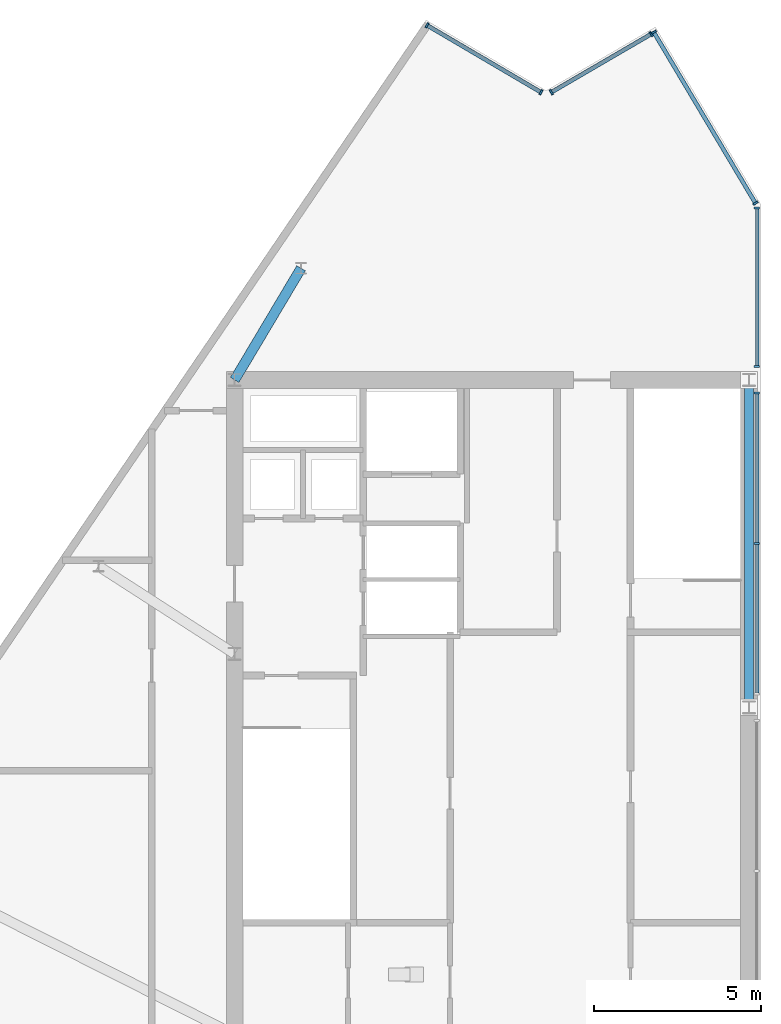
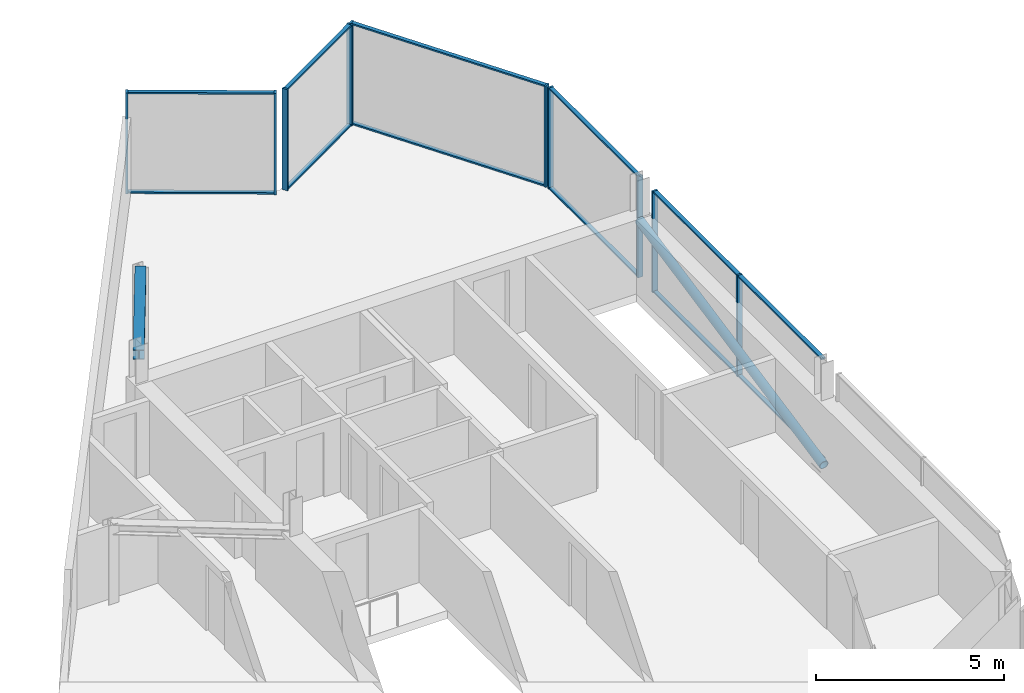
# One storey, part 3 of 7: 23 members, 1 beam, 5 elements without a shape of their own.
"""IFC4 building model written with IfcOpenShell, lengths in metres."""

from ifc_helpers import new_model, si_unit, direction, frame, origin, origin_2d, place, context, subcontext, project, spatial, rectangle, hollow_circle, i_section, extrude, material, material_profile, profile_set, type_object, element, aggregate, save


model = new_model("IFC4")

# Units and contexts
model_context = context("Model", 3, precision=1e-05, world=origin(), true_north=direction((0.0, 1.0)))
body_context = subcontext(model_context, "Body", "Model", "MODEL_VIEW")
ifc_project = project(units=[si_unit("LENGTHUNIT", "METRE"), si_unit("AREAUNIT", "SQUARE_METRE"), si_unit("VOLUMEUNIT", "CUBIC_METRE"), si_unit("PLANEANGLEUNIT", "RADIAN"), si_unit("MASSUNIT", "GRAM", prefix="KILO")], contexts=[model_context])

# Site, building, storey
site_placement = place(None, origin())
site = spatial("IfcSite", under=ifc_project, at=site_placement, CompositionType="ELEMENT")
building_placement = place(site_placement, origin())
building = spatial("IfcBuilding", under=site, at=building_placement, Name="Savorim Split Tower", CompositionType="ELEMENT")
storey_placement = place(building_placement, frame((0.0, 0.0, 319.199951171875)))
storey = spatial("IfcBuildingStorey", under=building, at=storey_placement, Name="Crown L85 Plant", CompositionType="ELEMENT", Elevation=319.199951171875)

# Beam
ifc_material_1 = material(Name="Steel S355", Category="steel")
ifc_material_profile_1 = material_profile(ifc_material_1, i_section(OverallWidth=0.300048828125, OverallDepth=0.320068359375, WebThickness=0.011474609375, FlangeThickness=0.0205078125, FilletRadius=0.027099609375, at=origin_2d()), Name="HEB 320")
ifc_profile_set_1 = profile_set([ifc_material_profile_1], Name="Steel S355")
beam_type = type_object("IfcBeamType", Name="BM-PRI-HEB320", PredefinedType="BEAM", material=ifc_profile_set_1)
beam_placement = place(storey_placement, frame((-5.710205078125, 13.542236328125, 3.179931640625), z_axis=(-0.511539031423, -0.85926004174, 0.0), x_axis=(0.85926004174, -0.511539031423, 0.0)))
element("IfcBeam", 1, at=beam_placement, inside=storey, type_object=beam_type, Name="Crown L85 Plant West Crown Beam WBG-5", PredefinedType="BEAM", context=body_context, shape_type="SweptSolid", body=[
    extrude(i_section(OverallWidth=0.300048828125, OverallDepth=0.320068359375, WebThickness=0.011474609375, FlangeThickness=0.0205078125, FilletRadius=0.027099609375, at=origin_2d()), origin(), (0.0, 0.0, 1.0), 3.8896484375),
])

# Curtain wall, members
ifc_material_2 = material(Name="Dark Ceramic-Fritted Insulated Glass", Category="glass")
curtain_wall_type = type_object("IfcCurtainWallType", Name="CW-CROWN-CREST", PredefinedType="NOTDEFINED", material=ifc_material_2)
curtain_wall_1_placement = place(storey_placement, origin())
curtain_wall_1 = element("IfcCurtainWall", 2, at=curtain_wall_1_placement, inside=storey, type_object=curtain_wall_type, Name="Crown L85 Plant Curtain Wall CW-Crown-L85-Plant-W1AS3", PredefinedType="NOTDEFINED")
ifc_material_3 = material(Name="Charcoal Anodised Aluminium", Category="aluminium")
ifc_material_profile_2 = material_profile(ifc_material_3, rectangle(XDim=0.159912109375, YDim=0.06005859375, at=origin_2d()), Name="ALU-M 160x60")
ifc_profile_set_2 = profile_set([ifc_material_profile_2], Name="Charcoal Anodised Aluminium")
member_type_1 = type_object("IfcMemberType", Name="CWM-160x60", PredefinedType="MULLION", material=ifc_profile_set_2)
member_1_placement = place(storey_placement, frame((7.929931640625, 5.300048828125, 0.0), z_axis=(0.0, 0.0, 1.0), x_axis=(-1.0, 0.0, 0.0)))
member_1 = element("IfcMember", 3, at=member_1_placement, type_object=member_type_1, Name="CW-07 mullion 2", PredefinedType="MULLION", context=body_context, shape_type="SweptSolid", body=[
    extrude(rectangle(XDim=0.159912109375, YDim=0.06005859375, at=origin_2d()), origin(), (0.0, 0.0, 1.0), 3.2900390625),
])
member_2_placement = place(storey_placement, frame((7.929931640625, 9.803955078125, 0.0), z_axis=(0.0, 0.0, 1.0), x_axis=(-1.0, 0.0, 0.0)))
member_2 = element("IfcMember", 4, at=member_2_placement, type_object=member_type_1, Name="CW-07 mullion 3", PredefinedType="MULLION", context=body_context, shape_type="SweptSolid", body=[
    extrude(rectangle(XDim=0.159912109375, YDim=0.06005859375, at=origin_2d()), origin(), (0.0, 0.0, 1.0), 3.2900390625),
])

curtain_wall_2_placement = place(storey_placement, origin())
curtain_wall_2 = element("IfcCurtainWall", 5, at=curtain_wall_2_placement, inside=storey, type_object=curtain_wall_type, Name="Crown L85 Plant Curtain Wall CW-Crown-L85-Plant-W1AS4", PredefinedType="NOTDEFINED")
member_3_placement = place(storey_placement, frame((7.929931640625, 10.595947265625, 0.0), z_axis=(0.0, 0.0, 1.0), x_axis=(-1.0, 0.0, 0.0)))
member_3 = element("IfcMember", 6, at=member_3_placement, type_object=member_type_1, Name="CW-07 mullion 1", PredefinedType="MULLION", context=body_context, shape_type="SweptSolid", body=[
    extrude(rectangle(XDim=0.159912109375, YDim=0.06005859375, at=origin_2d()), origin(), (0.0, 0.0, 1.0), 3.2900390625),
])
member_4_placement = place(storey_placement, frame((7.929931640625, 15.34716796875, 0.0), z_axis=(0.0, 0.0, 1.0), x_axis=(-1.0, 0.0, 0.0)))
member_4 = element("IfcMember", 7, at=member_4_placement, type_object=member_type_1, Name="CW-07 mullion 2", PredefinedType="MULLION", context=body_context, shape_type="SweptSolid", body=[
    extrude(rectangle(XDim=0.159912109375, YDim=0.06005859375, at=origin_2d()), origin(), (0.0, 0.0, 1.0), 3.2900390625),
])

curtain_wall_3_placement = place(storey_placement, origin())
curtain_wall_3 = element("IfcCurtainWall", 8, at=curtain_wall_3_placement, inside=storey, type_object=curtain_wall_type, Name="Crown L85 Plant Curtain Wall CW-Crown-L85-Plant-W2A", PredefinedType="NOTDEFINED")
member_5_placement = place(storey_placement, frame((7.890625, 15.490234375, 0.0), z_axis=(0.0, 0.0, 1.0), x_axis=(-0.859519503738, -0.511102947256, 0.0)))
member_5 = element("IfcMember", 9, at=member_5_placement, type_object=member_type_1, Name="CW-07 mullion 1", PredefinedType="MULLION", context=body_context, shape_type="SweptSolid", body=[
    extrude(rectangle(XDim=0.159912109375, YDim=0.06005859375, at=origin_2d()), origin(), (0.0, 0.0, 1.0), 3.2900390625),
])
member_6_placement = place(storey_placement, frame((4.84716796875, 20.6083984375, 0.0), z_axis=(0.0, 0.0, 1.0), x_axis=(-0.859519503738, -0.511102947256, 0.0)))
member_6 = element("IfcMember", 10, at=member_6_placement, type_object=member_type_1, Name="CW-07 mullion 2", PredefinedType="MULLION", context=body_context, shape_type="SweptSolid", body=[
    extrude(rectangle(XDim=0.159912109375, YDim=0.06005859375, at=origin_2d()), origin(), (0.0, 0.0, 1.0), 3.2900390625),
])

curtain_wall_4_placement = place(storey_placement, origin())
curtain_wall_4 = element("IfcCurtainWall", 11, at=curtain_wall_4_placement, inside=storey, type_object=curtain_wall_type, Name="Crown L85 Plant Curtain Wall CW-Crown-L85-Plant-W3A", PredefinedType="NOTDEFINED")
member_7_placement = place(storey_placement, frame((4.768798828125, 20.55224609375, 0.0), z_axis=(0.0, 0.0, 1.0), x_axis=(0.503515787461, -0.863986025221, 0.0)))
member_7 = element("IfcMember", 12, at=member_7_placement, type_object=member_type_1, Name="CW-07 mullion 1", PredefinedType="MULLION", context=body_context, shape_type="SweptSolid", body=[
    extrude(rectangle(XDim=0.159912109375, YDim=0.06005859375, at=origin_2d()), origin(), (0.0, 0.0, 1.0), 3.2900390625),
])
member_8_placement = place(storey_placement, frame((1.78076171875, 18.810791015625, 0.0), z_axis=(0.0, 0.0, 1.0), x_axis=(0.503515787461, -0.863986025221, 0.0)))
member_8 = element("IfcMember", 13, at=member_8_placement, type_object=member_type_1, Name="CW-07 mullion 2", PredefinedType="MULLION", context=body_context, shape_type="SweptSolid", body=[
    extrude(rectangle(XDim=0.159912109375, YDim=0.06005859375, at=origin_2d()), origin(), (0.0, 0.0, 1.0), 3.2900390625),
])

curtain_wall_5_placement = place(storey_placement, origin())
curtain_wall_5 = element("IfcCurtainWall", 14, at=curtain_wall_5_placement, inside=storey, type_object=curtain_wall_type, Name="Crown L85 Plant Curtain Wall CW-Crown-L85-Plant-W4A", PredefinedType="NOTDEFINED")
member_9_placement = place(storey_placement, frame((1.4697265625, 18.8115234375, 0.0), z_axis=(0.0, 0.0, 1.0), x_axis=(-0.506697717198, -0.86212378658, 0.0)))
member_9 = element("IfcMember", 15, at=member_9_placement, type_object=member_type_1, Name="CW-07 mullion 1", PredefinedType="MULLION", context=body_context, shape_type="SweptSolid", body=[
    extrude(rectangle(XDim=0.159912109375, YDim=0.06005859375, at=origin_2d()), origin(), (0.0, 0.0, 1.0), 3.2900390625),
])
member_10_placement = place(storey_placement, frame((-1.93798828125, 20.814208984375, 0.0), z_axis=(0.0, 0.0, 1.0), x_axis=(-0.506697717198, -0.86212378658, 0.0)))
member_10 = element("IfcMember", 16, at=member_10_placement, type_object=member_type_1, Name="CW-07 mullion 2", PredefinedType="MULLION", context=body_context, shape_type="SweptSolid", body=[
    extrude(rectangle(XDim=0.159912109375, YDim=0.06005859375, at=origin_2d()), origin(), (0.0, 0.0, 1.0), 3.2900390625),
])

# Member
ifc_material_profile_3 = material_profile(ifc_material_3, rectangle(XDim=0.1201171875, YDim=0.050048828125, at=origin_2d()), Name="ALU-T 120x50")
ifc_profile_set_3 = profile_set([ifc_material_profile_3], Name="Charcoal Anodised Aluminium")
member_type_2 = type_object("IfcMemberType", Name="CWT-120x50", PredefinedType="USERDEFINED", material=ifc_profile_set_3)
member_11_placement = place(storey_placement, frame((7.929931640625, 0.825927734375, 0.025146484375), z_axis=(0.0, 1.0, 0.0), x_axis=(-1.0, 0.0, 0.0)))
member_11 = element("IfcMember", 17, at=member_11_placement, type_object=member_type_2, Name="CW-07 transom 1.1", ObjectType="TRANSOM", PredefinedType="USERDEFINED", context=body_context, shape_type="SweptSolid", body=[
    extrude(rectangle(XDim=0.1201171875, YDim=0.050048828125, at=origin_2d()), origin(), (0.0, 0.0, 1.0), 4.444091796875),
])

member_12_placement = place(storey_placement, frame((7.929931640625, 0.825927734375, 3.26513671875), z_axis=(0.0, 1.0, 0.0), x_axis=(-1.0, 0.0, 0.0)))
member_12 = element("IfcMember", 18, at=member_12_placement, type_object=member_type_2, Name="CW-07 transom 1.2", ObjectType="TRANSOM", PredefinedType="USERDEFINED", context=body_context, shape_type="SweptSolid", body=[
    extrude(rectangle(XDim=0.1201171875, YDim=0.050048828125, at=origin_2d()), origin(), (0.0, 0.0, 1.0), 4.444091796875),
])

member_13_placement = place(storey_placement, frame((7.929931640625, 5.330078125, 0.025146484375), z_axis=(0.0, 1.0, 0.0), x_axis=(-1.0, 0.0, 0.0)))
member_13 = element("IfcMember", 19, at=member_13_placement, type_object=member_type_2, Name="CW-07 transom 2.1", ObjectType="TRANSOM", PredefinedType="USERDEFINED", context=body_context, shape_type="SweptSolid", body=[
    extrude(rectangle(XDim=0.1201171875, YDim=0.050048828125, at=origin_2d()), origin(), (0.0, 0.0, 1.0), 4.44384765625),
])

member_14_placement = place(storey_placement, frame((7.929931640625, 5.330078125, 3.26513671875), z_axis=(0.0, 1.0, 0.0), x_axis=(-1.0, 0.0, 0.0)))
member_14 = element("IfcMember", 20, at=member_14_placement, type_object=member_type_2, Name="CW-07 transom 2.2", ObjectType="TRANSOM", PredefinedType="USERDEFINED", context=body_context, shape_type="SweptSolid", body=[
    extrude(rectangle(XDim=0.1201171875, YDim=0.050048828125, at=origin_2d()), origin(), (0.0, 0.0, 1.0), 4.44384765625),
])

aggregate(curtain_wall_1, [member_1, member_2, member_11, member_12, member_13, member_14])

member_15_placement = place(storey_placement, frame((7.929931640625, 10.6259765625, 0.025146484375), z_axis=(0.0, 1.0, 0.0), x_axis=(-1.0, 0.0, 0.0)))
member_15 = element("IfcMember", 21, at=member_15_placement, type_object=member_type_2, Name="CW-07 transom 1.1", ObjectType="TRANSOM", PredefinedType="USERDEFINED", context=body_context, shape_type="SweptSolid", body=[
    extrude(rectangle(XDim=0.1201171875, YDim=0.050048828125, at=origin_2d()), origin(), (0.0, 0.0, 1.0), 4.691162109375),
])

member_16_placement = place(storey_placement, frame((7.929931640625, 10.6259765625, 3.26513671875), z_axis=(0.0, 1.0, 0.0), x_axis=(-1.0, 0.0, 0.0)))
member_16 = element("IfcMember", 22, at=member_16_placement, type_object=member_type_2, Name="CW-07 transom 1.2", ObjectType="TRANSOM", PredefinedType="USERDEFINED", context=body_context, shape_type="SweptSolid", body=[
    extrude(rectangle(XDim=0.1201171875, YDim=0.050048828125, at=origin_2d()), origin(), (0.0, 0.0, 1.0), 4.691162109375),
])

aggregate(curtain_wall_2, [member_3, member_4, member_15, member_16])

member_17_placement = place(storey_placement, frame((7.875244140625, 15.51611328125, 0.025146484375), z_axis=(-0.511105165661, 0.859518184586, 0.0), x_axis=(-0.859518184586, -0.511105165661, 0.0)))
member_17 = element("IfcMember", 23, at=member_17_placement, type_object=member_type_2, Name="CW-07 transom 1.1", ObjectType="TRANSOM", PredefinedType="USERDEFINED", context=body_context, shape_type="SweptSolid", body=[
    extrude(rectangle(XDim=0.1201171875, YDim=0.050048828125, at=origin_2d()), origin(), (0.0, 0.0, 1.0), 5.89453125),
])

member_18_placement = place(storey_placement, frame((7.875244140625, 15.51611328125, 3.26513671875), z_axis=(-0.511105165661, 0.859518184586, 0.0), x_axis=(-0.859518184586, -0.511105165661, 0.0)))
member_18 = element("IfcMember", 24, at=member_18_placement, type_object=member_type_2, Name="CW-07 transom 1.2", ObjectType="TRANSOM", PredefinedType="USERDEFINED", context=body_context, shape_type="SweptSolid", body=[
    extrude(rectangle(XDim=0.1201171875, YDim=0.050048828125, at=origin_2d()), origin(), (0.0, 0.0, 1.0), 5.89453125),
])

aggregate(curtain_wall_3, [member_5, member_6, member_17, member_18])

member_19_placement = place(storey_placement, frame((4.742919921875, 20.537109375, 0.025146484375), z_axis=(-0.863989871113, -0.503509188212, 0.0), x_axis=(0.503509188212, -0.863989871113, 0.0)))
member_19 = element("IfcMember", 25, at=member_19_placement, type_object=member_type_2, Name="CW-07 transom 1.1", ObjectType="TRANSOM", PredefinedType="USERDEFINED", context=body_context, shape_type="SweptSolid", body=[
    extrude(rectangle(XDim=0.1201171875, YDim=0.050048828125, at=origin_2d()), origin(), (0.0, 0.0, 1.0), 3.3984375),
])

member_20_placement = place(storey_placement, frame((4.742919921875, 20.537109375, 3.26513671875), z_axis=(-0.863989871113, -0.503509188212, 0.0), x_axis=(0.503509188212, -0.863989871113, 0.0)))
member_20 = element("IfcMember", 26, at=member_20_placement, type_object=member_type_2, Name="CW-07 transom 1.2", ObjectType="TRANSOM", PredefinedType="USERDEFINED", context=body_context, shape_type="SweptSolid", body=[
    extrude(rectangle(XDim=0.1201171875, YDim=0.050048828125, at=origin_2d()), origin(), (0.0, 0.0, 1.0), 3.3984375),
])

aggregate(curtain_wall_4, [member_7, member_8, member_19, member_20])

member_21_placement = place(storey_placement, frame((1.44384765625, 18.82666015625, 0.025146484375), z_axis=(-0.862122793443, 0.506699406971, 0.0), x_axis=(-0.506699406971, -0.862122793443, 0.0)))
member_21 = element("IfcMember", 27, at=member_21_placement, type_object=member_type_2, Name="CW-07 transom 1.1", ObjectType="TRANSOM", PredefinedType="USERDEFINED", context=body_context, shape_type="SweptSolid", body=[
    extrude(rectangle(XDim=0.1201171875, YDim=0.050048828125, at=origin_2d()), origin(), (0.0, 0.0, 1.0), 3.892578125),
])

member_22_placement = place(storey_placement, frame((1.44384765625, 18.82666015625, 3.26513671875), z_axis=(-0.862122793443, 0.506699406971, 0.0), x_axis=(-0.506699406971, -0.862122793443, 0.0)))
member_22 = element("IfcMember", 28, at=member_22_placement, type_object=member_type_2, Name="CW-07 transom 1.2", ObjectType="TRANSOM", PredefinedType="USERDEFINED", context=body_context, shape_type="SweptSolid", body=[
    extrude(rectangle(XDim=0.1201171875, YDim=0.050048828125, at=origin_2d()), origin(), (0.0, 0.0, 1.0), 3.892578125),
])

aggregate(curtain_wall_5, [member_9, member_10, member_21, member_22])

ifc_material_profile_4 = material_profile(ifc_material_1, hollow_circle(Radius=0.136474609375, WallThickness=0.01611328125, at=origin_2d()), Name="CHS 273x16")
ifc_profile_set_4 = profile_set([ifc_material_profile_4], Name="Steel S355")
member_type_3 = type_object("IfcMemberType", Name="MBR-CRN-CHS273", PredefinedType="BRACE", material=ifc_profile_set_4)
member_23_placement = place(storey_placement, frame((7.699951171875, 0.39990234375, 0.150146484375), z_axis=(0.0, 0.979804253974, 0.199959055543), x_axis=(-1.0, 0.0, 0.0)))
element("IfcMember", 29, at=member_23_placement, inside=storey, type_object=member_type_3, Name="Crown L85 Plant Split Crown Spine Brace 1", PredefinedType="BRACE", context=body_context, shape_type="SweptSolid", body=[
    extrude(hollow_circle(Radius=0.136474609375, WallThickness=0.01611328125, at=origin_2d()), origin(), (0.0, 0.0, 1.0), 10.001953125),
])

save(model, "model.ifc")
